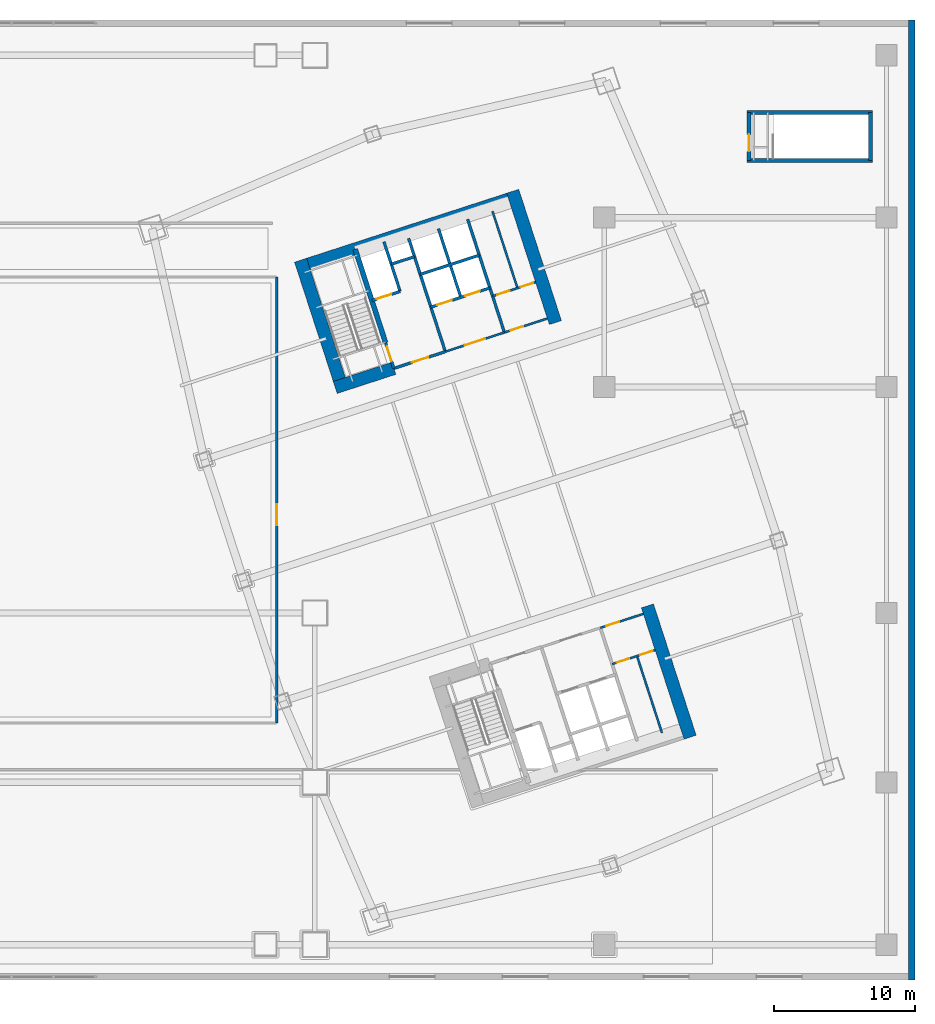
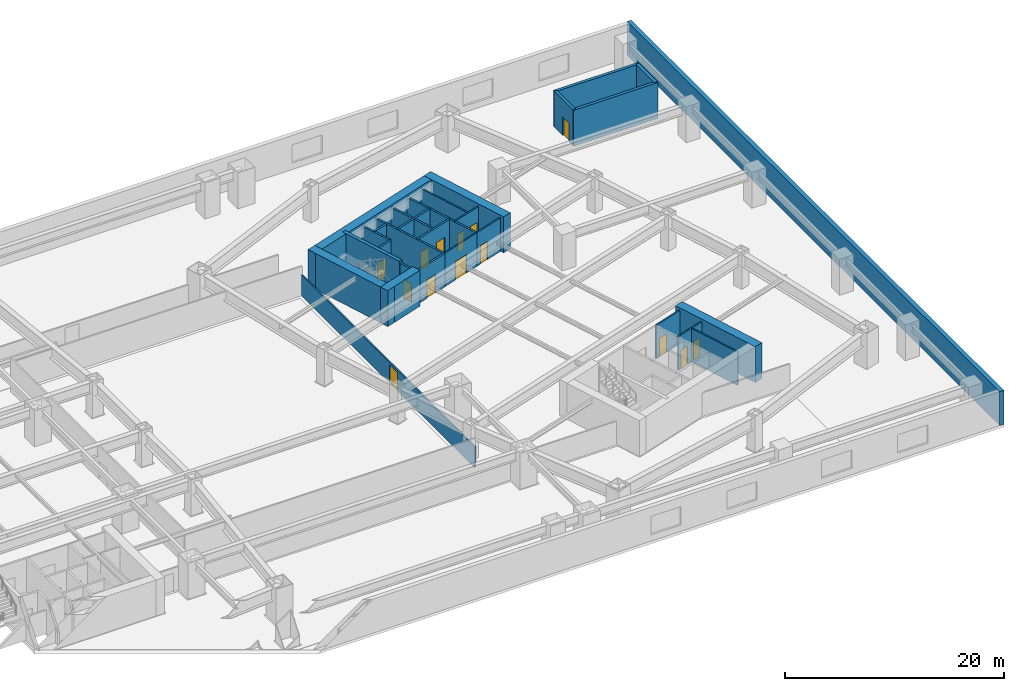
# One storey, part 18 of 25: 29 walls, 14 doors, 14 openings.
"""IFC4 building model written with IfcOpenShell, lengths in metres."""

import ifcopenshell
import ifcopenshell.guid

model = None  # the IFC model being written
_history = None  # IfcOwnerHistory: only IFC2X3 demands one
_inside = {}  # id of a spatial element -> (the spatial element, [elements in it])
_under = {}  # id of a project, library or spatial element -> (it, [spatial elements below it])
_declared = {}  # id of a project -> (the project, [libraries it declares])
_typed = {}  # id of a type object -> (the type object, [elements of that type])
_made_of = {}  # id of a material, layer set ... -> (it, [elements and type objects made of it])


def new_model(schema):
    """Start an empty IFC model of exactly this schema.

    Asked for "IFC4X3", IfcOpenShell would pick the latest addendum, in which some entities
    have other attributes; the version numbers below select the first issue.
    IFC2X3 requires an IfcOwnerHistory on every rooted entity: one is made here for all.
    """
    global model, _history
    if schema == "IFC4X3":
        model = ifcopenshell.file(schema_version=(4, 3, 0, 0))
    else:
        model = ifcopenshell.file(schema=schema)
    _inside.clear()
    _under.clear()
    _declared.clear()
    _typed.clear()
    _made_of.clear()
    _history = None
    if model.schema == "IFC2X3":
        org = make("IfcOrganization", Name="unknown")
        user = make(
            "IfcPersonAndOrganization",
            ThePerson=make("IfcPerson", FamilyName="unknown"),
            TheOrganization=org,
        )
        app = make(
            "IfcApplication",
            ApplicationDeveloper=org,
            Version="unknown",
            ApplicationFullName="unknown",
            ApplicationIdentifier="unknown",
        )
        _history = make(
            "IfcOwnerHistory",
            OwningUser=user,
            OwningApplication=app,
            ChangeAction="ADDED",
            CreationDate=0,
        )
    return model


def make(cls, **values):
    """One entity of the class cls with the attributes given. An attribute that is None is left unset."""
    return model.create_entity(
        cls, **{name: value for name, value in values.items() if value is not None}
    )


def rooted(cls, **values):
    """An entity with a GlobalId (a new one), such as an element, a storey or a relation."""
    return make(cls, GlobalId=ifcopenshell.guid.new(), OwnerHistory=_history, **values)


def si_unit(unit_type, name, prefix=None):
    """IfcSIUnit, for example si_unit("LENGTHUNIT", "METRE", prefix="MILLI")."""
    return make("IfcSIUnit", UnitType=unit_type, Prefix=prefix, Name=name)


def assignment(units):
    """IfcUnitAssignment: the units of a project."""
    return None if units is None else make("IfcUnitAssignment", Units=units)


def point(xyz):
    """IfcCartesianPoint."""
    return None if xyz is None else make("IfcCartesianPoint", Coordinates=xyz)


def direction(xyz):
    """IfcDirection."""
    return None if xyz is None else make("IfcDirection", DirectionRatios=xyz)


def frame(location, z_axis=None, x_axis=None):
    """IfcAxis2Placement3D, a coordinate frame: its origin and axes. An axis left out is left unset."""
    return make(
        "IfcAxis2Placement3D",
        Location=point(location),
        Axis=direction(z_axis),
        RefDirection=direction(x_axis),
    )


def frame_2d(location, x_axis=None):
    """IfcAxis2Placement2D, a coordinate frame in the plane: its origin and x axis."""
    return make(
        "IfcAxis2Placement2D", Location=point(location), RefDirection=direction(x_axis)
    )


def origin():
    """The frame at (0, 0, 0) with its axes left unset."""
    return frame((0.0, 0.0, 0.0))


def place(relative_to, where):
    """IfcLocalPlacement: puts the frame where relative to a parent placement (None: the world)."""
    return make(
        "IfcLocalPlacement", PlacementRelTo=relative_to, RelativePlacement=where
    )


def context(
    kind, dimensions, precision=None, world=None, true_north=None, identifier=None
):
    """IfcGeometricRepresentationContext, for example the 3D "Model" context."""
    return make(
        "IfcGeometricRepresentationContext",
        ContextIdentifier=identifier,
        ContextType=kind,
        CoordinateSpaceDimension=dimensions,
        Precision=precision,
        WorldCoordinateSystem=world,
        TrueNorth=true_north,
    )


def subcontext(parent, identifier, kind, view, scale=None):
    """IfcGeometricRepresentationSubContext, for example "Body" below "Model"."""
    return make(
        "IfcGeometricRepresentationSubContext",
        ContextIdentifier=identifier,
        ContextType=kind,
        ParentContext=parent,
        TargetScale=scale,
        TargetView=view,
    )


def project(units=None, contexts=None):
    """IfcProject with its units and contexts."""
    return rooted(
        "IfcProject",
        Name="project",
        RepresentationContexts=contexts,
        UnitsInContext=assignment(units),
    )


def spatial(cls, under=None, at=None, **own):
    """A site, building, storey or space (cls), placed at a placement, below another one or the project."""
    s = rooted(cls, ObjectPlacement=at, **own)
    if under is not None:
        _under.setdefault(under.id(), (under, []))[1].append(s)
    return s


def profile(cls, at=None, kind="AREA", **sizes):
    """A parametric profile (cls). Its sizes go by their IFC names, for example OverallWidth=200.0."""
    return make(cls, ProfileType=kind, Position=at, **sizes)


def rectangle(**sizes):
    """IfcRectangleProfileDef."""
    return profile("IfcRectangleProfileDef", **sizes)


def extrude(swept, where, along, depth):
    """IfcExtrudedAreaSolid: the profile swept, set in the frame where, extruded along a direction by depth."""
    return make(
        "IfcExtrudedAreaSolid",
        SweptArea=swept,
        Position=where,
        ExtrudedDirection=direction(along),
        Depth=depth,
    )


def shape(context_of_items, identifier, shape_type, items):
    """IfcShapeRepresentation: the items that make up one representation, for example the "Body"."""
    return make(
        "IfcShapeRepresentation",
        ContextOfItems=context_of_items,
        RepresentationIdentifier=identifier,
        RepresentationType=shape_type,
        Items=items,
    )


def material(Name=None, Category=None):
    """IfcMaterial."""
    return make("IfcMaterial", Name=Name, Category=Category)


def layer(
    of_material, thickness, ventilated=None, Name=None, Category=None, Priority=None
):
    """IfcMaterialLayer: one layer of a wall or slab, of a material (None: an air gap)."""
    return make(
        "IfcMaterialLayer",
        Material=of_material,
        LayerThickness=thickness,
        IsVentilated=ventilated,
        Name=Name,
        Category=Category,
        Priority=Priority,
    )


def layer_set(layers, Name=None):
    """IfcMaterialLayerSet."""
    return make("IfcMaterialLayerSet", MaterialLayers=layers, LayerSetName=Name)


def made_of(thing, what):
    """Note that an element or type object is made of a material, layer set ...; save() writes the relation."""
    if what is not None:
        _made_of.setdefault(what.id(), (what, []))[1].append(thing)
    return thing


def type_object(cls, material=None, **own):
    """A type object (cls), such as IfcWallType, which elements share."""
    return made_of(rooted(cls, **own), material)


def element(
    cls,
    number,
    at=None,
    inside=None,
    cuts=None,
    type_object=None,
    material=None,
    context=None,
    identifier="Body",
    shape_type=None,
    held_by="IfcProductDefinitionShape",
    body=None,
    shapes=None,
    **own,
):
    """One element of the class cls, such as IfcWall. Its Tag is "e" and its number.

    at: its placement. inside: the storey or other place that contains it. cuts: it is an
    opening in that element (IfcRelVoidsElement). A single representation is given by context,
    identifier, shape_type and body (its items); several are given by shapes. held_by: the class
    of the entity that holds the representations. save() writes the other relations.
    """
    e = rooted(cls, Tag="e%d" % number, ObjectPlacement=at, **own)
    if body is not None:
        shapes = [shape(context, identifier, shape_type, body)]
    if shapes is not None:
        e.Representation = make(held_by, Representations=shapes)
    if inside is not None:
        _inside.setdefault(inside.id(), (inside, []))[1].append(e)
    if cuts is not None:
        rooted(
            "IfcRelVoidsElement", RelatingBuildingElement=cuts, RelatedOpeningElement=e
        )
    if type_object is not None:
        _typed.setdefault(type_object.id(), (type_object, []))[1].append(e)
    return made_of(e, material)


def fill(opening, filler):
    """IfcRelFillsElement: the door or window that sits in an opening."""
    return rooted(
        "IfcRelFillsElement",
        RelatingOpeningElement=opening,
        RelatedBuildingElement=filler,
    )


def aggregate(whole, parts):
    """IfcRelAggregates: a whole, such as a stair, and the parts it consists of."""
    return rooted("IfcRelAggregates", RelatingObject=whole, RelatedObjects=parts)


def save(model, path):
    """Write the relations noted so far, then the file.

    IfcRelAggregates (storeys below a building ...), IfcRelContainedInSpatialStructure (elements
    in a storey), IfcRelDefinesByType, IfcRelAssociatesMaterial and IfcRelDeclares: one each for
    every whole, place, type object, material and project.
    """
    for whole, parts in _under.values():
        aggregate(whole, parts)
    for where, things in _inside.values():
        rooted(
            "IfcRelContainedInSpatialStructure",
            RelatedElements=things,
            RelatingStructure=where,
        )
    for kind, things in _typed.values():
        rooted("IfcRelDefinesByType", RelatedObjects=things, RelatingType=kind)
    for what, things in _made_of.values():
        rooted("IfcRelAssociatesMaterial", RelatedObjects=things, RelatingMaterial=what)
    for by, libraries in _declared.values():
        rooted("IfcRelDeclares", RelatingContext=by, RelatedDefinitions=libraries)
    model.write(path)


model = new_model("IFC4")

# Units and contexts
model_context = context("Model", 3, precision=1e-05, world=origin(), true_north=direction((0.0, 1.0)))
body_context = subcontext(model_context, "Body", "Model", "MODEL_VIEW")
ifc_project = project(units=[si_unit("LENGTHUNIT", "METRE"), si_unit("AREAUNIT", "SQUARE_METRE"), si_unit("VOLUMEUNIT", "CUBIC_METRE"), si_unit("PLANEANGLEUNIT", "RADIAN"), si_unit("MASSUNIT", "GRAM", prefix="KILO")], contexts=[model_context])

# Site, building, storey
site_placement = place(None, origin())
site = spatial("IfcSite", under=ifc_project, at=site_placement, CompositionType="ELEMENT")
building_placement = place(site_placement, origin())
building = spatial("IfcBuilding", under=site, at=building_placement, Name="Qiaolan Cultural Towers", CompositionType="ELEMENT")
storey_placement = place(building_placement, frame((0.0, 0.0, 22.0)))
storey = spatial("IfcBuildingStorey", under=building, at=storey_placement, Name="L04", CompositionType="ELEMENT", Elevation=22.0)

# Walls
ifc_material_1 = material(Name="Concrete C50", Category="concrete")
ifc_layer_1 = layer(ifc_material_1, 0.35009765625)
ifc_layer_set_1 = layer_set([ifc_layer_1], Name="Concrete C50")
wall_type_1 = type_object("IfcWallType", Name="WL-CORE-350", PredefinedType="SHEAR", material=ifc_layer_set_1)
wall_1_placement = place(storey_placement, frame((82.513671875, 45.13134765625, 0.0), z_axis=(0.0, 0.0, 1.0), x_axis=(-0.308988790936, 0.951065679686, 0.0)))
element("IfcWall", 1, at=wall_1_placement, inside=storey, type_object=wall_type_1, Name="L04 T2-CN Stair Core Dividing Web", PredefinedType="SHEAR", context=body_context, shape_type="SweptSolid", body=[
    extrude(rectangle(XDim=6.97998046875, YDim=0.35009765625, at=frame_2d((3.489990234375, 0.0))), origin(), (0.0, 0.0, 1.0), 4.0),
])
for number, where, z_axis, x_axis, name in (
    (2, (108.10009765625, 58.050048828125, 0.0), (0.0, 0.0, 1.0), (1.0, 0.0, 0.0), "L04 STP2 Stair Shaft Wall S"),
    (3, (108.10009765625, 61.449951171875, 0.0), (0.0, 0.0, 1.0), (1.0, 0.0, 0.0), "L04 STP2 Stair Shaft Wall N"),
):
    element("IfcWall", number, at=place(storey_placement, frame(where, z_axis=z_axis, x_axis=x_axis)), inside=storey, type_object=wall_type_1, Name=name, PredefinedType="SHEAR", context=body_context, shape_type="SweptSolid", body=[
        extrude(rectangle(XDim=8.89990234375, YDim=0.300048828125, at=frame_2d((4.449951171875, 0.0))), origin(), (0.0, 0.0, 1.0), 4.0),
    ])
wall_2_placement = place(storey_placement, frame((116.85009765625, 58.050048828125, 0.0), z_axis=(0.0, 0.0, 1.0), x_axis=(0.0, 1.0, 0.0)))
element("IfcWall", 4, at=wall_2_placement, inside=storey, type_object=wall_type_1, Name="L04 STP2 Stair Shaft Wall E", PredefinedType="SHEAR", context=body_context, shape_type="SweptSolid", body=[
    extrude(rectangle(XDim=3.39990234375, YDim=0.300048828125, at=frame_2d((1.699951171875, 0.0))), origin(), (0.0, 0.0, 1.0), 4.0),
])

# Wall, opening, door
wall_3_placement = place(storey_placement, frame((108.25, 58.050048828125, 0.0), z_axis=(0.0, 0.0, 1.0), x_axis=(0.0, 1.0, 0.0)))
wall_3 = element("IfcWall", 5, at=wall_3_placement, inside=storey, type_object=wall_type_1, Name="L04 STP2 Stair Shaft Wall W", PredefinedType="SHEAR", context=body_context, shape_type="SweptSolid", body=[
    extrude(rectangle(XDim=3.39990234375, YDim=0.300048828125, at=frame_2d((1.699951171875, 0.0))), origin(), (0.0, 0.0, 1.0), 4.0),
])
opening_1_placement = place(wall_3_placement, frame((0.64990234375, 0.0, 0.0)))
opening_1 = element("IfcOpeningElement", 6, at=opening_1_placement, cuts=wall_3, Name="Opening FD-03", PredefinedType="OPENING", context=body_context, shape_type="SweptSolid", body=[
    extrude(rectangle(XDim=1.199951171875, YDim=2.050048828125, at=frame_2d((0.60009765625, 1.02490234375))), frame((0.0, 0.159912109375, 0.0), z_axis=(0.0, -1.0, 0.0), x_axis=(1.0, 0.0, 0.0)), (0.0, 0.0, 1.0), 0.320068359375),
])
ifc_material_2 = material(Name="Galvanized Steel Smokeproof Lobby Fire Door", Category="steel")
door_type_1 = type_object("IfcDoorType", Name="DR-FD90-1200", OperationType="NOTDEFINED", PredefinedType="DOOR", material=ifc_material_2)
door_1_placement = place(opening_1_placement, origin())
door_1 = element("IfcDoor", 7, at=door_1_placement, inside=storey, type_object=door_type_1, Name="L04 Exit Stair ST-P2 Fire Door", OperationType="SINGLE_SWING_LEFT", OverallHeight=2.050048828125, OverallWidth=1.199951171875, PredefinedType="DOOR", context=body_context, shape_type="SweptSolid", body=[
    extrude(rectangle(XDim=1.199951171875, YDim=2.050048828125, at=frame_2d((0.60009765625, 1.02490234375))), frame((0.0, 0.02490234375, 0.0), z_axis=(0.0, -1.0, 0.0), x_axis=(1.0, 0.0, 0.0)), (0.0, 0.0, 1.0), 0.050048828125),
])
fill(opening_1, door_1)

# Walls
ifc_material_3 = material(Name="Concrete C60", Category="concrete")
ifc_layer_2 = layer(ifc_material_3, 0.89990234375)
ifc_layer_set_2 = layer_set([ifc_layer_2], Name="Concrete C60")
wall_type_2 = type_object("IfcWallType", Name="WL-CORE-900", PredefinedType="SHEAR", material=ifc_layer_set_2)
wall_4_placement = place(storey_placement, frame((101.058837890625, 26.500244140625, 0.0), z_axis=(0.0, 0.0, 1.0), x_axis=(0.309021722829, -0.951054979914, 0.0)))
element("IfcWall", 8, at=wall_4_placement, inside=storey, type_object=wall_type_2, Name="L04 T2-CS East Core Shear Wall", PredefinedType="SHEAR", context=body_context, shape_type="SweptSolid", body=[
    extrude(rectangle(XDim=9.780029296875, YDim=0.89990234375, at=frame_2d((4.89013671875, 0.0))), origin(), (0.0, 0.0, 1.0), 4.0),
])
wall_5_placement = place(storey_placement, frame((76.20068359375, 50.41943359375, 0.0), z_axis=(0.0, 0.0, 1.0), x_axis=(0.951056412142, 0.309017314926, 0.0)))
element("IfcWall", 9, at=wall_5_placement, inside=storey, type_object=wall_type_2, Name="L04 T2-CN Outer Core Shear Wall", PredefinedType="SHEAR", context=body_context, shape_type="SweptSolid", body=[
    extrude(rectangle(XDim=16.7001953125, YDim=0.89990234375, at=frame_2d((8.35009765625, 0.0))), origin(), (0.0, 0.0, 1.0), 4.0),
])
for number, where, z_axis, x_axis, name in (
    (10, (79.511962890625, 41.68505859375, 0.0), (0.0, 0.0, 1.0), (-0.309021722829, 0.951054979914, 0.0), "L04 T2-CN West Core Shear Wall"),
    (11, (94.53857421875, 46.567626953125, 0.0), (0.0, 0.0, 1.0), (-0.309021722829, 0.951054979914, 0.0), "L04 T2-CN East Core Shear Wall"),
):
    element("IfcWall", number, at=place(storey_placement, frame(where, z_axis=z_axis, x_axis=x_axis)), inside=storey, type_object=wall_type_2, Name=name, PredefinedType="SHEAR", context=body_context, shape_type="SweptSolid", body=[
        extrude(rectangle(XDim=9.780029296875, YDim=0.89990234375, at=frame_2d((4.89013671875, 0.0))), origin(), (0.0, 0.0, 1.0), 4.0),
    ])
wall_6_placement = place(storey_placement, frame((78.94482421875, 41.97412109375, 0.0), z_axis=(0.0, 0.0, 1.0), x_axis=(0.951058289404, 0.309011537255, 0.0)))
element("IfcWall", 12, at=wall_6_placement, inside=storey, type_object=wall_type_2, Name="L04 T2-CN Stair Front Shear Wall", PredefinedType="SHEAR", context=body_context, shape_type="SweptSolid", body=[
    extrude(rectangle(XDim=4.369873046875, YDim=0.89990234375, at=frame_2d((2.18505859375, 0.0))), origin(), (0.0, 0.0, 1.0), 4.0),
])
ifc_material_4 = material(Name="Precast Concrete C50 Bush-Hammered Granite Pier", Category="masonry")
ifc_layer_3 = layer(ifc_material_4, 0.449951171875)
ifc_layer_set_3 = layer_set([ifc_layer_3], Name="Precast Concrete C50 Bush-Hammered Granite Pier")
wall_type_3 = type_object("IfcWallType", Name="WL-EXT-POD-450", PredefinedType="SOLIDWALL", material=ifc_layer_set_3)
wall_7_placement = place(storey_placement, frame((119.77490234375, 68.0, 0.0), z_axis=(0.0, 0.0, 1.0), x_axis=(0.0, -1.0, 0.0)))
element("IfcWall", 13, at=wall_7_placement, inside=storey, type_object=wall_type_3, Name="L04 Podium Precast Facade Wall EAST", PredefinedType="SOLIDWALL", context=body_context, shape_type="SweptSolid", body=[
    extrude(rectangle(XDim=68.0, YDim=0.449951171875, at=frame_2d((34.0, 0.0))), origin(), (0.0, 0.0, 1.0), 3.780029296875),
])

# Wall, opening, door
ifc_material_5 = material(Name="Concrete C35 Fire Wall", Category="concrete")
ifc_layer_4 = layer(ifc_material_5, 0.199951171875)
ifc_layer_set_4 = layer_set([ifc_layer_4], Name="Concrete C35 Fire Wall")
wall_type_4 = type_object("IfcWallType", Name="WL-FIRE-200", PredefinedType="PARTITIONING", material=ifc_layer_set_4)
wall_8_placement = place(storey_placement, frame((83.100830078125, 43.324462890625, 0.0), z_axis=(0.0, 0.0, 1.0), x_axis=(-0.309048298632, 0.951046344356, 0.0)))
wall_8 = element("IfcWall", 14, at=wall_8_placement, inside=storey, type_object=wall_type_4, Name="L04 T2-CN Smokeproof Stair Entry Wall", PredefinedType="PARTITIONING", context=body_context, shape_type="SweptSolid", body=[
    extrude(rectangle(XDim=1.89990234375, YDim=0.199951171875, at=frame_2d((0.949951171875, 0.0))), origin(), (0.0, 0.0, 1.0), 3.72509765625),
])
opening_2_placement = place(wall_8_placement, frame((0.52001953125, 0.0, 0.0)))
opening_2 = element("IfcOpeningElement", 15, at=opening_2_placement, cuts=wall_8, Name="Opening FD-04", PredefinedType="OPENING", context=body_context, shape_type="SweptSolid", body=[
    extrude(rectangle(XDim=1.10009765625, YDim=2.050048828125, at=frame_2d((0.550048828125, 1.02490234375))), frame((0.0, 0.10986328125, 0.0), z_axis=(0.0, -1.0, 0.0), x_axis=(1.0, 0.0, 0.0)), (0.0, 0.0, 1.0), 0.219970703125),
])
ifc_material_6 = material(Name="Galvanized Steel Command Fire Door", Category="steel")
door_type_2 = type_object("IfcDoorType", Name="DR-FD90-1100", OperationType="NOTDEFINED", PredefinedType="DOOR", material=ifc_material_6)
door_2_placement = place(opening_2_placement, origin())
door_2 = element("IfcDoor", 16, at=door_2_placement, inside=storey, type_object=door_type_2, Name="L04 ST-E2 Smokeproof Stair Fire Door", OperationType="SINGLE_SWING_LEFT", OverallHeight=2.050048828125, OverallWidth=1.10009765625, PredefinedType="DOOR", context=body_context, shape_type="SweptSolid", body=[
    extrude(rectangle(XDim=1.10009765625, YDim=2.050048828125, at=frame_2d((0.550048828125, 1.02490234375))), frame((0.0, 0.02490234375, 0.0), z_axis=(0.0, -1.0, 0.0), x_axis=(1.0, 0.0, 0.0)), (0.0, 0.0, 1.0), 0.050048828125),
])
fill(opening_2, door_2)

# Wall
wall_9_placement = place(storey_placement, frame((86.743408203125, 44.508056640625, 0.0), z_axis=(0.0, 0.0, 1.0), x_axis=(-0.309016001439, 0.951056838919, 0.0)))
element("IfcWall", 17, at=wall_9_placement, inside=storey, type_object=wall_type_4, Name="L04 T2-CN Firefighting Zone Wall", PredefinedType="PARTITIONING", context=body_context, shape_type="SweptSolid", body=[
    extrude(rectangle(XDim=8.429931640625, YDim=0.199951171875, at=frame_2d((4.21484375, 0.0))), origin(), (0.0, 0.0, 1.0), 3.72509765625),
])

# Wall, opening, door
wall_10_placement = place(storey_placement, frame((83.100830078125, 43.324462890625, 0.0), z_axis=(0.0, 0.0, 1.0), x_axis=(0.951052804469, 0.309028417967, 0.0)))
wall_10 = element("IfcWall", 18, at=wall_10_placement, inside=storey, type_object=wall_type_4, Name="L04 T2-CN Firefighting Lobby Front Wall", PredefinedType="PARTITIONING", context=body_context, shape_type="SweptSolid", body=[
    extrude(rectangle(XDim=3.830078125, YDim=0.199951171875, at=frame_2d((1.9150390625, 0.0))), origin(), (0.0, 0.0, 1.0), 3.72509765625),
])
opening_3_placement = place(wall_10_placement, frame((1.35009765625, 0.0, 0.0)))
opening_3 = element("IfcOpeningElement", 19, at=opening_3_placement, cuts=wall_10, Name="Opening FD-03", PredefinedType="OPENING", context=body_context, shape_type="SweptSolid", body=[
    extrude(rectangle(XDim=1.199951171875, YDim=2.050048828125, at=frame_2d((0.60009765625, 1.02490234375))), frame((0.0, 0.10986328125, 0.0), z_axis=(0.0, -1.0, 0.0), x_axis=(1.0, 0.0, 0.0)), (0.0, 0.0, 1.0), 0.219970703125),
])
door_3_placement = place(opening_3_placement, origin())
door_3 = element("IfcDoor", 20, at=door_3_placement, inside=storey, type_object=door_type_1, Name="L04 FFL-E2 Firefighting Lobby Fire Door", OperationType="SINGLE_SWING_LEFT", OverallHeight=2.050048828125, OverallWidth=1.199951171875, PredefinedType="DOOR", context=body_context, shape_type="SweptSolid", body=[
    extrude(rectangle(XDim=1.199951171875, YDim=2.050048828125, at=frame_2d((0.60009765625, 1.02490234375))), frame((0.0, 0.02490234375, 0.0), z_axis=(0.0, -1.0, 0.0), x_axis=(1.0, 0.0, 0.0)), (0.0, 0.0, 1.0), 0.050048828125),
])
fill(opening_3, door_3)

wall_11_placement = place(storey_placement, frame((81.540283203125, 48.127197265625, 0.0), z_axis=(0.0, 0.0, 1.0), x_axis=(0.951062257173, 0.308999325213, 0.0)))
wall_11 = element("IfcWall", 21, at=wall_11_placement, inside=storey, type_object=wall_type_4, Name="L04 T2-CN Firefighting Shaft Front Wall", PredefinedType="PARTITIONING", context=body_context, shape_type="SweptSolid", body=[
    extrude(rectangle(XDim=2.10009765625, YDim=0.199951171875, at=frame_2d((1.050048828125, 0.0))), origin(), (0.0, 0.0, 1.0), 3.72509765625),
])
opening_4_placement = place(wall_11_placement, frame((0.35009765625, 0.0, 0.0)))
opening_4 = element("IfcOpeningElement", 22, at=opening_4_placement, cuts=wall_11, Name="Opening LD-01", PredefinedType="OPENING", context=body_context, shape_type="SweptSolid", body=[
    extrude(rectangle(XDim=1.10009765625, YDim=2.050048828125, at=frame_2d((0.550048828125, 1.02490234375))), frame((0.0, 0.10986328125, 0.0), z_axis=(0.0, -1.0, 0.0), x_axis=(1.0, 0.0, 0.0)), (0.0, 0.0, 1.0), 0.219970703125),
])
ifc_material_7 = material(Name="Brushed Stainless Steel S30408 Centre-Parting Lift Landing Door", Category="steel")
door_type_3 = type_object("IfcDoorType", Name="DR-LIFT-1100", OperationType="NOTDEFINED", PredefinedType="DOOR", material=ifc_material_7)
door_4_placement = place(opening_4_placement, origin())
door_4 = element("IfcDoor", 23, at=door_4_placement, inside=storey, type_object=door_type_3, Name="L04 FFL-E2 Firefighting Lift Landing Door", OperationType="DOUBLE_DOOR_SLIDING", OverallHeight=2.050048828125, OverallWidth=1.10009765625, PredefinedType="DOOR", context=body_context, shape_type="SweptSolid", body=[
    extrude(rectangle(XDim=1.10009765625, YDim=2.050048828125, at=frame_2d((0.550048828125, 1.02490234375))), frame((0.0, 0.02490234375, 0.0), z_axis=(0.0, -1.0, 0.0), x_axis=(1.0, 0.0, 0.0)), (0.0, 0.0, 1.0), 0.050048828125),
])
fill(opening_4, door_4)

# Walls
wall_12_placement = place(storey_placement, frame((83.53759765625, 48.776123046875, 0.0), z_axis=(0.0, 0.0, 1.0), x_axis=(-0.3089935693, 0.951064127245, 0.0)))
element("IfcWall", 24, at=wall_12_placement, inside=storey, type_object=wall_type_4, Name="L04 T2-CN Firefighting Hoistway East Wall", PredefinedType="PARTITIONING", context=body_context, shape_type="SweptSolid", body=[
    extrude(rectangle(XDim=3.7001953125, YDim=0.199951171875, at=frame_2d((1.85009765625, 0.0))), origin(), (0.0, 0.0, 1.0), 3.72509765625),
])
wall_13_placement = place(storey_placement, frame((82.910400390625, 50.706787109375, 0.0), z_axis=(0.0, 0.0, 1.0), x_axis=(0.951041328149, 0.309063734775, 0.0)))
element("IfcWall", 25, at=wall_13_placement, inside=storey, type_object=wall_type_4, Name="L04 T2-CN Pressurization Shaft Front Wall", PredefinedType="PARTITIONING", context=body_context, shape_type="SweptSolid", body=[
    extrude(rectangle(XDim=1.72998046875, YDim=0.199951171875, at=frame_2d((0.864990234375, 0.0))), origin(), (0.0, 0.0, 1.0), 3.72509765625),
])
wall_14_placement = place(storey_placement, frame((90.92822265625, 45.86767578125, 0.0), z_axis=(0.0, 0.0, 1.0), x_axis=(-0.309042196757, 0.951048327176, 0.0)))
element("IfcWall", 26, at=wall_14_placement, inside=storey, type_object=wall_type_4, Name="L04 T2-CN Lift Core East Wall", PredefinedType="PARTITIONING", context=body_context, shape_type="SweptSolid", body=[
    extrude(rectangle(XDim=8.429931640625, YDim=0.199951171875, at=frame_2d((4.21484375, 0.0))), origin(), (0.0, 0.0, 1.0), 3.72509765625),
])

# Wall, openings, doors
wall_15_placement = place(storey_placement, frame((85.717529296875, 47.66552734375, 0.0), z_axis=(0.0, 0.0, 1.0), x_axis=(0.951058531764, 0.30901079133, 0.0)))
wall_15 = element("IfcWall", 27, at=wall_15_placement, inside=storey, type_object=wall_type_4, Name="L04 T2-CN Passenger Lift Shaft Front Wall", PredefinedType="PARTITIONING", context=body_context, shape_type="SweptSolid", body=[
    extrude(rectangle(XDim=4.39990234375, YDim=0.199951171875, at=frame_2d((2.199951171875, 0.0))), origin(), (0.0, 0.0, 1.0), 3.72509765625),
])
opening_5_placement = place(wall_15_placement, frame((0.449951171875, 0.0, 0.0)))
opening_5 = element("IfcOpeningElement", 28, at=opening_5_placement, cuts=wall_15, Name="Opening LD-01", PredefinedType="OPENING", context=body_context, shape_type="SweptSolid", body=[
    extrude(rectangle(XDim=1.10009765625, YDim=2.050048828125, at=frame_2d((0.550048828125, 1.02490234375))), frame((0.0, 0.10986328125, 0.0), z_axis=(0.0, -1.0, 0.0), x_axis=(1.0, 0.0, 0.0)), (0.0, 0.0, 1.0), 0.219970703125),
])
opening_6_placement = place(wall_15_placement, frame((2.550048828125, 0.0, 0.0)))
opening_6 = element("IfcOpeningElement", 29, at=opening_6_placement, cuts=wall_15, Name="Opening LD-01", PredefinedType="OPENING", context=body_context, shape_type="SweptSolid", body=[
    extrude(rectangle(XDim=1.10009765625, YDim=2.050048828125, at=frame_2d((0.550048828125, 1.02490234375))), frame((0.0, 0.10986328125, 0.0), z_axis=(0.0, -1.0, 0.0), x_axis=(1.0, 0.0, 0.0)), (0.0, 0.0, 1.0), 0.219970703125),
])
door_5_placement = place(opening_5_placement, origin())
door_5 = element("IfcDoor", 30, at=door_5_placement, inside=storey, type_object=door_type_3, Name="L04 Passenger Lift 1 Landing Door", OperationType="DOUBLE_DOOR_SLIDING", OverallHeight=2.050048828125, OverallWidth=1.10009765625, PredefinedType="DOOR", context=body_context, shape_type="SweptSolid", body=[
    extrude(rectangle(XDim=1.10009765625, YDim=2.050048828125, at=frame_2d((0.550048828125, 1.02490234375))), frame((0.0, 0.02490234375, 0.0), z_axis=(0.0, -1.0, 0.0), x_axis=(1.0, 0.0, 0.0)), (0.0, 0.0, 1.0), 0.050048828125),
])
fill(opening_5, door_5)
door_6_placement = place(opening_6_placement, origin())
door_6 = element("IfcDoor", 31, at=door_6_placement, inside=storey, type_object=door_type_3, Name="L04 Passenger Lift 2 Landing Door", OperationType="DOUBLE_DOOR_SLIDING", OverallHeight=2.050048828125, OverallWidth=1.10009765625, PredefinedType="DOOR", context=body_context, shape_type="SweptSolid", body=[
    extrude(rectangle(XDim=1.10009765625, YDim=2.050048828125, at=frame_2d((0.550048828125, 1.02490234375))), frame((0.0, 0.02490234375, 0.0), z_axis=(0.0, -1.0, 0.0), x_axis=(1.0, 0.0, 0.0)), (0.0, 0.0, 1.0), 0.050048828125),
])
fill(opening_6, door_6)

# Walls
wall_16_placement = place(storey_placement, frame((87.83837890625, 48.3544921875, 0.0), z_axis=(0.0, 0.0, 1.0), x_axis=(-0.3090093719, 0.951058992953, 0.0)))
element("IfcWall", 32, at=wall_16_placement, inside=storey, type_object=wall_type_4, Name="L04 T2-CN Lift Shaft Divider Wall", PredefinedType="PARTITIONING", context=body_context, shape_type="SweptSolid", body=[
    extrude(rectangle(XDim=5.110107421875, YDim=0.199951171875, at=frame_2d((2.55517578125, 0.0))), origin(), (0.0, 0.0, 1.0), 3.72509765625),
])
wall_17_placement = place(storey_placement, frame((84.966552734375, 49.9765625, 0.0), z_axis=(0.0, 0.0, 1.0), x_axis=(0.951063829732, 0.308994485023, 0.0)))
element("IfcWall", 33, at=wall_17_placement, inside=storey, type_object=wall_type_4, Name="L04 T2-CN Passenger Lift Shaft Back Wall", PredefinedType="PARTITIONING", context=body_context, shape_type="SweptSolid", body=[
    extrude(rectangle(XDim=4.400146484375, YDim=0.199951171875, at=frame_2d((2.2001953125, 0.0))), origin(), (0.0, 0.0, 1.0), 3.72509765625),
])

# Wall, opening, door
ifc_material_8 = material(Name="Autoclaved Aerated Concrete Block B06", Category="concrete")
ifc_layer_5 = layer(ifc_material_8, 0.14990234375)
ifc_layer_set_5 = layer_set([ifc_layer_5], Name="Autoclaved Aerated Concrete Block B06")
wall_type_5 = type_object("IfcWallType", Name="WL-PART-150", PredefinedType="PARTITIONING", material=ifc_layer_set_5)
wall_18_placement = place(storey_placement, frame((97.7265625, 24.9443359375, 0.0), z_axis=(0.0, 0.0, 1.0), x_axis=(0.951036872128, 0.309077446369, 0.0)))
wall_18 = element("IfcWall", 34, at=wall_18_placement, inside=storey, type_object=wall_type_5, Name="L04 T2-CS Sanitary Core Front Wall", PredefinedType="PARTITIONING", context=body_context, shape_type="SweptSolid", body=[
    extrude(rectangle(XDim=3.199951171875, YDim=0.14990234375, at=frame_2d((1.60009765625, 0.0))), origin(), (0.0, 0.0, 1.0), 3.72509765625),
])
opening_7_placement = place(wall_18_placement, frame((0.449951171875, 0.0, 0.0)))
opening_7 = element("IfcOpeningElement", 35, at=opening_7_placement, cuts=wall_18, Name="Opening ID-05", PredefinedType="OPENING", context=body_context, shape_type="SweptSolid", body=[
    extrude(rectangle(XDim=0.949951171875, YDim=2.050048828125, at=frame_2d((0.47509765625, 1.02490234375))), frame((0.0, 0.0849609375, 0.0), z_axis=(0.0, -1.0, 0.0), x_axis=(1.0, 0.0, 0.0)), (0.0, 0.0, 1.0), 0.169921875),
])
ifc_material_9 = material(Name="Fire-Rated Laminate Accessible Core Door", Category="timber")
door_type_4 = type_object("IfcDoorType", Name="DR-INT-950", OperationType="NOTDEFINED", PredefinedType="DOOR", material=ifc_material_9)
door_7_placement = place(opening_7_placement, origin())
door_7 = element("IfcDoor", 36, at=door_7_placement, inside=storey, type_object=door_type_4, Name="L04 Sanitary Vestibule Door", OperationType="SINGLE_SWING_LEFT", OverallHeight=2.050048828125, OverallWidth=0.949951171875, PredefinedType="DOOR", context=body_context, shape_type="SweptSolid", body=[
    extrude(rectangle(XDim=0.949951171875, YDim=2.050048828125, at=frame_2d((0.47509765625, 1.02490234375))), frame((0.0, 0.02490234375, 0.0), z_axis=(0.0, -1.0, 0.0), x_axis=(1.0, 0.0, 0.0)), (0.0, 0.0, 1.0), 0.050048828125),
])
fill(opening_7, door_7)

# Wall, openings, doors
wall_19_placement = place(storey_placement, frame((98.560791015625, 22.37646484375, 0.0), z_axis=(0.0, 0.0, 1.0), x_axis=(0.95104415986, 0.309055020985, 0.0)))
wall_19 = element("IfcWall", 37, at=wall_19_placement, inside=storey, type_object=wall_type_5, Name="L04 T2-CS Restroom Vestibule Wall", PredefinedType="PARTITIONING", context=body_context, shape_type="SweptSolid", body=[
    extrude(rectangle(XDim=3.2001953125, YDim=0.14990234375, at=frame_2d((1.60009765625, 0.0))), origin(), (0.0, 0.0, 1.0), 3.72509765625),
])
opening_8_placement = place(wall_19_placement, frame((0.35009765625, 0.0, 0.0)))
opening_8 = element("IfcOpeningElement", 38, at=opening_8_placement, cuts=wall_19, Name="Opening ID-06", PredefinedType="OPENING", context=body_context, shape_type="SweptSolid", body=[
    extrude(rectangle(XDim=0.89990234375, YDim=2.050048828125, at=frame_2d((0.449951171875, 1.02490234375))), frame((0.0, 0.0849609375, 0.0), z_axis=(0.0, -1.0, 0.0), x_axis=(1.0, 0.0, 0.0)), (0.0, 0.0, 1.0), 0.169921875),
])
opening_9_placement = place(wall_19_placement, frame((2.10009765625, 0.0, 0.0)))
opening_9 = element("IfcOpeningElement", 39, at=opening_9_placement, cuts=wall_19, Name="Opening ID-06", PredefinedType="OPENING", context=body_context, shape_type="SweptSolid", body=[
    extrude(rectangle(XDim=0.89990234375, YDim=2.050048828125, at=frame_2d((0.449951171875, 1.02490234375))), frame((0.0, 0.0849609375, 0.0), z_axis=(0.0, -1.0, 0.0), x_axis=(1.0, 0.0, 0.0)), (0.0, 0.0, 1.0), 0.169921875),
])
ifc_material_10 = material(Name="Fire-Rated Laminate Core Service Door", Category="timber")
door_type_5 = type_object("IfcDoorType", Name="DR-INT-900", OperationType="NOTDEFINED", PredefinedType="DOOR", material=ifc_material_10)
door_8_placement = place(opening_8_placement, origin())
door_8 = element("IfcDoor", 40, at=door_8_placement, inside=storey, type_object=door_type_5, Name="L04 Men Restroom Door", OperationType="SINGLE_SWING_LEFT", OverallHeight=2.050048828125, OverallWidth=0.89990234375, PredefinedType="DOOR", context=body_context, shape_type="SweptSolid", body=[
    extrude(rectangle(XDim=0.89990234375, YDim=2.050048828125, at=frame_2d((0.449951171875, 1.02490234375))), frame((0.0, 0.02490234375, 0.0), z_axis=(0.0, -1.0, 0.0), x_axis=(1.0, 0.0, 0.0)), (0.0, 0.0, 1.0), 0.050048828125),
])
fill(opening_8, door_8)
door_9_placement = place(opening_9_placement, origin())
door_9 = element("IfcDoor", 41, at=door_9_placement, inside=storey, type_object=door_type_5, Name="L04 Accessible & Women Restroom Door", OperationType="SINGLE_SWING_RIGHT", OverallHeight=2.050048828125, OverallWidth=0.89990234375, PredefinedType="DOOR", context=body_context, shape_type="SweptSolid", body=[
    extrude(rectangle(XDim=0.89990234375, YDim=2.050048828125, at=frame_2d((0.449951171875, 1.02490234375))), frame((0.0, 0.02490234375, 0.0), z_axis=(0.0, -1.0, 0.0), x_axis=(1.0, 0.0, 0.0)), (0.0, 0.0, 1.0), 0.050048828125),
])
fill(opening_9, door_9)

# Wall
wall_20_placement = place(storey_placement, frame((100.3203125, 22.9482421875, 0.0), z_axis=(0.0, 0.0, 1.0), x_axis=(0.309035009867, -0.951050662518, 0.0)))
element("IfcWall", 42, at=wall_20_placement, inside=storey, type_object=wall_type_5, Name="L04 T2-CS Restroom Divider Wall", PredefinedType="PARTITIONING", context=body_context, shape_type="SweptSolid", body=[
    extrude(rectangle(XDim=5.72998046875, YDim=0.14990234375, at=frame_2d((2.864990234375, 0.0))), origin(), (0.0, 0.0, 1.0), 3.72509765625),
])

# Wall, opening, door
wall_21_placement = place(storey_placement, frame((86.743408203125, 44.508056640625, 0.0), z_axis=(0.0, 0.0, 1.0), x_axis=(0.951063829732, 0.308994485023, 0.0)))
wall_21 = element("IfcWall", 43, at=wall_21_placement, inside=storey, type_object=wall_type_5, Name="L04 T2-CN Passenger Lift Lobby Front Wall", PredefinedType="PARTITIONING", context=body_context, shape_type="SweptSolid", body=[
    extrude(rectangle(XDim=4.400146484375, YDim=0.14990234375, at=frame_2d((2.2001953125, 0.0))), origin(), (0.0, 0.0, 1.0), 3.72509765625),
])
opening_10_placement = place(wall_21_placement, frame((1.449951171875, 0.0, 0.0)))
opening_10 = element("IfcOpeningElement", 44, at=opening_10_placement, cuts=wall_21, Name="Opening FD-05", PredefinedType="OPENING", context=body_context, shape_type="SweptSolid", body=[
    extrude(rectangle(XDim=1.5, YDim=2.050048828125, at=frame_2d((0.75, 1.02490234375))), frame((0.0, 0.0849609375, 0.0), z_axis=(0.0, -1.0, 0.0), x_axis=(1.0, 0.0, 0.0)), (0.0, 0.0, 1.0), 0.169921875),
])
ifc_material_11 = material(Name="Painted Steel Lift Lobby Fire Door", Category="steel")
door_type_6 = type_object("IfcDoorType", Name="DR-FD60-1500", OperationType="NOTDEFINED", PredefinedType="DOOR", material=ifc_material_11)
door_10_placement = place(opening_10_placement, origin())
door_10 = element("IfcDoor", 45, at=door_10_placement, inside=storey, type_object=door_type_6, Name="L04 Passenger Lift Lobby Entrance", OperationType="SINGLE_SWING_LEFT", OverallHeight=2.050048828125, OverallWidth=1.5, PredefinedType="DOOR", context=body_context, shape_type="SweptSolid", body=[
    extrude(rectangle(XDim=1.5, YDim=2.050048828125, at=frame_2d((0.75, 1.02490234375))), frame((0.0, 0.02490234375, 0.0), z_axis=(0.0, -1.0, 0.0), x_axis=(1.0, 0.0, 0.0)), (0.0, 0.0, 1.0), 0.050048828125),
])
fill(opening_10, door_10)

wall_22_placement = place(storey_placement, frame((90.92822265625, 45.86767578125, 0.0), z_axis=(0.0, 0.0, 1.0), x_axis=(0.951059297078, 0.309008435874, 0.0)))
wall_22 = element("IfcWall", 46, at=wall_22_placement, inside=storey, type_object=wall_type_5, Name="L04 T2-CN Sanitary Core Front Wall", PredefinedType="PARTITIONING", context=body_context, shape_type="SweptSolid", body=[
    extrude(rectangle(XDim=3.19970703125, YDim=0.14990234375, at=frame_2d((1.599853515625, 0.0))), origin(), (0.0, 0.0, 1.0), 3.72509765625),
])
opening_11_placement = place(wall_22_placement, frame((0.449951171875, 0.0, 0.0)))
opening_11 = element("IfcOpeningElement", 47, at=opening_11_placement, cuts=wall_22, Name="Opening ID-05", PredefinedType="OPENING", context=body_context, shape_type="SweptSolid", body=[
    extrude(rectangle(XDim=0.949951171875, YDim=2.050048828125, at=frame_2d((0.47509765625, 1.02490234375))), frame((0.0, 0.0849609375, 0.0), z_axis=(0.0, -1.0, 0.0), x_axis=(1.0, 0.0, 0.0)), (0.0, 0.0, 1.0), 0.169921875),
])
door_11_placement = place(opening_11_placement, origin())
door_11 = element("IfcDoor", 48, at=door_11_placement, inside=storey, type_object=door_type_4, Name="L04 Sanitary Vestibule Door", OperationType="SINGLE_SWING_LEFT", OverallHeight=2.050048828125, OverallWidth=0.949951171875, PredefinedType="DOOR", context=body_context, shape_type="SweptSolid", body=[
    extrude(rectangle(XDim=0.949951171875, YDim=2.050048828125, at=frame_2d((0.47509765625, 1.02490234375))), frame((0.0, 0.02490234375, 0.0), z_axis=(0.0, -1.0, 0.0), x_axis=(1.0, 0.0, 0.0)), (0.0, 0.0, 1.0), 0.050048828125),
])
fill(opening_11, door_11)

# Wall, openings, doors
wall_23_placement = place(storey_placement, frame((90.09375, 48.435546875, 0.0), z_axis=(0.0, 0.0, 1.0), x_axis=(0.951066581729, 0.308986014439, 0.0)))
wall_23 = element("IfcWall", 49, at=wall_23_placement, inside=storey, type_object=wall_type_5, Name="L04 T2-CN Restroom Vestibule Wall", PredefinedType="PARTITIONING", context=body_context, shape_type="SweptSolid", body=[
    extrude(rectangle(XDim=3.199951171875, YDim=0.14990234375, at=frame_2d((1.60009765625, 0.0))), origin(), (0.0, 0.0, 1.0), 3.72509765625),
])
opening_12_placement = place(wall_23_placement, frame((0.35009765625, 0.0, 0.0)))
opening_12 = element("IfcOpeningElement", 50, at=opening_12_placement, cuts=wall_23, Name="Opening ID-06", PredefinedType="OPENING", context=body_context, shape_type="SweptSolid", body=[
    extrude(rectangle(XDim=0.89990234375, YDim=2.050048828125, at=frame_2d((0.449951171875, 1.02490234375))), frame((0.0, 0.0849609375, 0.0), z_axis=(0.0, -1.0, 0.0), x_axis=(1.0, 0.0, 0.0)), (0.0, 0.0, 1.0), 0.169921875),
])
opening_13_placement = place(wall_23_placement, frame((2.10009765625, 0.0, 0.0)))
opening_13 = element("IfcOpeningElement", 51, at=opening_13_placement, cuts=wall_23, Name="Opening ID-06", PredefinedType="OPENING", context=body_context, shape_type="SweptSolid", body=[
    extrude(rectangle(XDim=0.89990234375, YDim=2.050048828125, at=frame_2d((0.449951171875, 1.02490234375))), frame((0.0, 0.0849609375, 0.0), z_axis=(0.0, -1.0, 0.0), x_axis=(1.0, 0.0, 0.0)), (0.0, 0.0, 1.0), 0.169921875),
])
door_12_placement = place(opening_12_placement, origin())
door_12 = element("IfcDoor", 52, at=door_12_placement, inside=storey, type_object=door_type_5, Name="L04 Men Restroom Door", OperationType="SINGLE_SWING_LEFT", OverallHeight=2.050048828125, OverallWidth=0.89990234375, PredefinedType="DOOR", context=body_context, shape_type="SweptSolid", body=[
    extrude(rectangle(XDim=0.89990234375, YDim=2.050048828125, at=frame_2d((0.449951171875, 1.02490234375))), frame((0.0, 0.02490234375, 0.0), z_axis=(0.0, -1.0, 0.0), x_axis=(1.0, 0.0, 0.0)), (0.0, 0.0, 1.0), 0.050048828125),
])
fill(opening_12, door_12)
door_13_placement = place(opening_13_placement, origin())
door_13 = element("IfcDoor", 53, at=door_13_placement, inside=storey, type_object=door_type_5, Name="L04 Accessible & Women Restroom Door", OperationType="SINGLE_SWING_RIGHT", OverallHeight=2.050048828125, OverallWidth=0.89990234375, PredefinedType="DOOR", context=body_context, shape_type="SweptSolid", body=[
    extrude(rectangle(XDim=0.89990234375, YDim=2.050048828125, at=frame_2d((0.449951171875, 1.02490234375))), frame((0.0, 0.02490234375, 0.0), z_axis=(0.0, -1.0, 0.0), x_axis=(1.0, 0.0, 0.0)), (0.0, 0.0, 1.0), 0.050048828125),
])
fill(opening_13, door_13)

# Wall
wall_24_placement = place(storey_placement, frame((91.853271484375, 49.007080078125, 0.0), z_axis=(0.0, 0.0, 1.0), x_axis=(-0.309022487551, 0.951054731437, 0.0)))
element("IfcWall", 54, at=wall_24_placement, inside=storey, type_object=wall_type_5, Name="L04 T2-CN Restroom Divider Wall", PredefinedType="PARTITIONING", context=body_context, shape_type="SweptSolid", body=[
    extrude(rectangle(XDim=5.730224609375, YDim=0.14990234375, at=frame_2d((2.865234375, 0.0))), origin(), (0.0, 0.0, 1.0), 3.72509765625),
])

# Wall, opening, door
wall_25_placement = place(storey_placement, frame((74.800048828125, 18.199951171875, 0.0), z_axis=(0.0, 0.0, 1.0), x_axis=(0.0, 1.0, 0.0)))
wall_25 = element("IfcWall", 55, at=wall_25_placement, inside=storey, type_object=wall_type_5, Name="L04 Podium Partition L04-D2", PredefinedType="PARTITIONING", context=body_context, shape_type="SweptSolid", body=[
    extrude(rectangle(XDim=31.60009765625, YDim=0.14990234375, at=frame_2d((15.800048828125, 0.0))), origin(), (0.0, 0.0, 1.0), 2.31494140625),
])
opening_14_placement = place(wall_25_placement, frame((14.0, 0.0, 0.0)))
opening_14 = element("IfcOpeningElement", 56, at=opening_14_placement, cuts=wall_25, Name="Opening ID-01", PredefinedType="OPENING", context=body_context, shape_type="SweptSolid", body=[
    extrude(rectangle(XDim=1.5, YDim=2.050048828125, at=frame_2d((0.75, 1.02490234375))), frame((0.0, 0.0849609375, 0.0), z_axis=(0.0, -1.0, 0.0), x_axis=(1.0, 0.0, 0.0)), (0.0, 0.0, 1.0), 0.169921875),
])
ifc_material_12 = material(Name="Oak Veneer Solid-Core Double Leaf Door", Category="timber")
door_type_7 = type_object("IfcDoorType", Name="DR-INT-1500", OperationType="NOTDEFINED", PredefinedType="DOOR", material=ifc_material_12)
door_14_placement = place(opening_14_placement, origin())
door_14 = element("IfcDoor", 57, at=door_14_placement, inside=storey, type_object=door_type_7, Name="L04 Central Reading Atrium East Door", OperationType="SINGLE_SWING_RIGHT", OverallHeight=2.050048828125, OverallWidth=1.5, PredefinedType="DOOR", context=body_context, shape_type="SweptSolid", body=[
    extrude(rectangle(XDim=1.5, YDim=2.050048828125, at=frame_2d((0.75, 1.02490234375))), frame((0.0, 0.02490234375, 0.0), z_axis=(0.0, -1.0, 0.0), x_axis=(1.0, 0.0, 0.0)), (0.0, 0.0, 1.0), 0.050048828125),
])
fill(opening_14, door_14)

save(model, "model.ifc")
